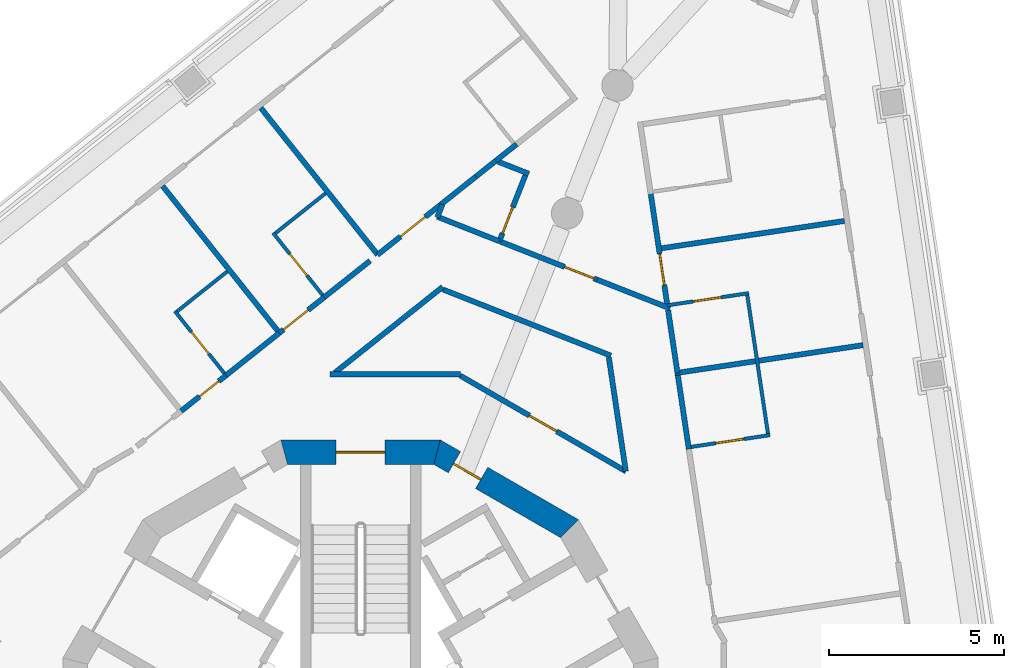
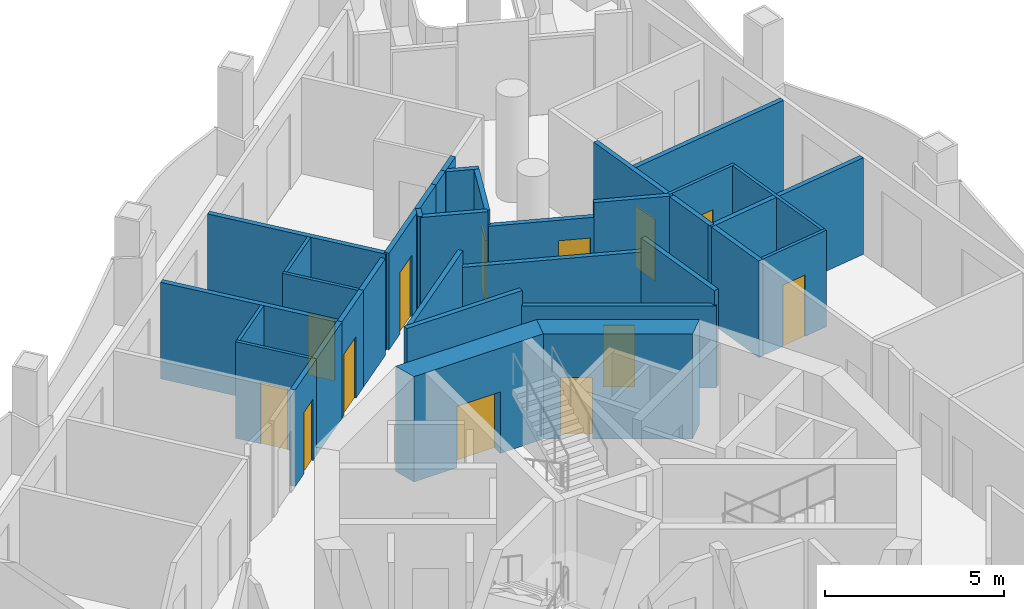
# One storey, part 8 of 16: 34 walls, 13 doors, 13 openings.
"""IFC4 building model written with IfcOpenShell, lengths in metres."""

from ifc_helpers import new_model, si_unit, direction, frame, frame_2d, origin, place, context, subcontext, project, spatial, polyline, rectangle, outline, extrude, material, layer, layer_set, type_object, element, fill, save


model = new_model("IFC4")

# Units and contexts
model_context = context("Model", 3, precision=1e-05, world=origin(), true_north=direction((0.0, 1.0)))
body_context = subcontext(model_context, "Body", "Model", "MODEL_VIEW")
ifc_project = project(units=[si_unit("LENGTHUNIT", "METRE"), si_unit("AREAUNIT", "SQUARE_METRE"), si_unit("VOLUMEUNIT", "CUBIC_METRE"), si_unit("PLANEANGLEUNIT", "RADIAN"), si_unit("MASSUNIT", "GRAM", prefix="KILO")], contexts=[model_context])

# Site, building, storey
site_placement = place(None, origin())
site = spatial("IfcSite", under=ifc_project, at=site_placement, CompositionType="ELEMENT")
building_placement = place(site_placement, origin())
building = spatial("IfcBuilding", under=site, at=building_placement, Name="Trine Commons Tower", CompositionType="ELEMENT")
storey_placement = place(building_placement, frame((0.0, 0.0, 205.199951171875)))
storey = spatial("IfcBuildingStorey", under=building, at=storey_placement, Name="L53", CompositionType="ELEMENT", Elevation=205.199951171875)

# Wall, opening, door
ifc_material_1 = material(Name="Concrete C60/75", Category="concrete")
ifc_layer_1 = layer(ifc_material_1, 0.699951171875)
ifc_layer_set_1 = layer_set([ifc_layer_1], Name="Concrete C60/75")
wall_type_1 = type_object("IfcWallType", Name="RC shear wall 700 mm, C60/75", PredefinedType="SHEAR", material=ifc_layer_set_1)
wall_1_placement = place(storey_placement, frame((86.047607421875, 68.41943359375, 0.0), z_axis=(0.0, 0.0, 1.0), x_axis=(-0.866034756103, 0.499983800959, 0.0)))
wall_1 = element("IfcWall", 1, at=wall_1_placement, inside=storey, type_object=wall_type_1, Name="Core wall CWF-03 L53", PredefinedType="SHEAR", context=body_context, shape_type="SweptSolid", body=[
    extrude(outline(polyline([(0.0, -0.35009765625), (4.55517578125, -0.35009765625), (4.36767578125, 0.35009765625), (0.1875, 0.35009765625), (0.0, -0.35009765625)])), origin(), (0.0, 0.0, 1.0), 3.60009765625),
])
opening_1_placement = place(wall_1_placement, frame((2.990966796875, 0.0, 0.0)))
opening_1 = element("IfcOpeningElement", 2, at=opening_1_placement, cuts=wall_1, Name="Opening K15.14", PredefinedType="OPENING", context=body_context, shape_type="SweptSolid", body=[
    extrude(rectangle(XDim=0.89990234375, YDim=2.10009765625, at=frame_2d((0.449951171875, 1.050048828125))), frame((0.0, 0.35986328125, 0.0), z_axis=(0.0, -1.0, 0.0), x_axis=(1.0, 0.0, 0.0)), (0.0, 0.0, 1.0), 0.719970703125),
])
ifc_material_2 = material(Name="Steel door leaf, fire-rated", Category="steel")
door_type_1 = type_object("IfcDoorType", Name="Core room door, single leaf 900 x 2100, FD30S", OperationType="SINGLE_SWING_LEFT", PredefinedType="DOOR", material=ifc_material_2)
door_1_placement = place(opening_1_placement, origin())
door_1 = element("IfcDoor", 3, at=door_1_placement, inside=storey, type_object=door_type_1, Name="Door to Core WC L53", OperationType="SINGLE_SWING_RIGHT", OverallHeight=2.10009765625, OverallWidth=0.89990234375, PredefinedType="DOOR", context=body_context, shape_type="SweptSolid", body=[
    extrude(rectangle(XDim=0.89990234375, YDim=2.10009765625, at=frame_2d((0.449951171875, 1.050048828125))), frame((0.0, 0.0751953125, 0.0), z_axis=(0.0, -1.0, 0.0), x_axis=(1.0, 0.0, 0.0)), (0.0, 0.0, 1.0), 0.050048828125),
])
fill(opening_1, door_1)

wall_2_placement = place(storey_placement, frame((82.277587890625, 70.650146484375, 0.0), z_axis=(0.0, 0.0, 1.0), x_axis=(-1.0, 0.0, 0.0)))
wall_2 = element("IfcWall", 4, at=wall_2_placement, inside=storey, type_object=wall_type_1, Name="Core wall CWF-04 L53", PredefinedType="SHEAR", context=body_context, shape_type="SweptSolid", body=[
    extrude(outline(polyline([(0.0, -0.35009765625), (4.55517578125, -0.35009765625), (4.36767578125, 0.35009765625), (0.1875, 0.35009765625), (0.0, -0.35009765625)])), origin(), (0.0, 0.0, 1.0), 3.60009765625),
])
opening_2_placement = place(wall_2_placement, frame((1.57763671875, 0.0, 0.0)))
opening_2 = element("IfcOpeningElement", 5, at=opening_2_placement, cuts=wall_2, Name="Opening K15.01", PredefinedType="OPENING", context=body_context, shape_type="SweptSolid", body=[
    extrude(rectangle(XDim=1.39990234375, YDim=2.10009765625, at=frame_2d((0.699951171875, 1.050048828125))), frame((0.0, 0.35986328125, 0.0), z_axis=(0.0, -1.0, 0.0), x_axis=(1.0, 0.0, 0.0)), (0.0, 0.0, 1.0), 0.719970703125),
])
ifc_material_3 = material(Name="Steel door leaves, fire-rated", Category="steel")
door_type_2 = type_object("IfcDoorType", Name="Stair door, double leaf 1400 x 2100, FD90", OperationType="DOUBLE_DOOR_SINGLE_SWING", PredefinedType="DOOR", material=ifc_material_3)
door_2_placement = place(opening_2_placement, origin())
door_2 = element("IfcDoor", 6, at=door_2_placement, inside=storey, type_object=door_type_2, Name="Stair door to Exit stair ST1C L53", OperationType="DOUBLE_DOOR_SINGLE_SWING", OverallHeight=2.10009765625, OverallWidth=1.39990234375, PredefinedType="DOOR", context=body_context, shape_type="SweptSolid", body=[
    extrude(rectangle(XDim=1.39990234375, YDim=2.10009765625, at=frame_2d((0.699951171875, 1.050048828125))), frame((0.0, 0.02490234375, 0.0), z_axis=(0.0, -1.0, 0.0), x_axis=(1.0, 0.0, 0.0)), (0.0, 0.0, 1.0), 0.050048828125),
])
fill(opening_2, door_2)

# Wall
ifc_material_4 = material(Name="Gypsum plasterboard on steel stud", Category="steel")
ifc_layer_2 = layer(ifc_material_4, 0.14990234375)
ifc_layer_set_2 = layer_set([ifc_layer_2], Name="Gypsum plasterboard on steel stud")
wall_type_2 = type_object("IfcWallType", Name="Unit and corridor wall 150 mm, EI 60", PredefinedType="PARTITIONING", material=ifc_layer_set_2)
wall_3_placement = place(storey_placement, frame((74.343017578125, 78.252685546875, 0.0), z_axis=(0.0, 0.0, 1.0), x_axis=(0.622444463897, -0.782663969634, 0.0)))
element("IfcWall", 7, at=wall_3_placement, inside=storey, type_object=wall_type_2, Name="Partition 042", PredefinedType="PARTITIONING", context=body_context, shape_type="SweptSolid", body=[
    extrude(rectangle(XDim=5.284423828125, YDim=0.14990234375, at=frame_2d((2.64208984375, 0.0))), origin(), (0.0, 0.0, 1.0), 3.300048828125),
])

# Wall, opening, door
wall_4_placement = place(storey_placement, frame((74.8701171875, 71.823974609375, 0.0), z_axis=(0.0, 0.0, 1.0), x_axis=(0.782865951336, 0.622190406739, 0.0)))
wall_4 = element("IfcWall", 8, at=wall_4_placement, inside=storey, type_object=wall_type_2, Name="Partition 045", PredefinedType="PARTITIONING", context=body_context, shape_type="SweptSolid", body=[
    extrude(rectangle(XDim=1.642578125, YDim=0.14990234375, at=frame_2d((0.8212890625, 0.0))), origin(), (0.0, 0.0, 1.0), 3.300048828125),
])
opening_3_placement = place(wall_4_placement, frame((0.671142578125, 0.0, 0.0)))
opening_3 = element("IfcOpeningElement", 9, at=opening_3_placement, cuts=wall_4, Name="Opening D-6A10", PredefinedType="OPENING", context=body_context, shape_type="SweptSolid", body=[
    extrude(rectangle(XDim=0.699951171875, YDim=2.10009765625, at=frame_2d((0.35009765625, 1.050048828125))), frame((0.0, 0.0849609375, 0.0), z_axis=(0.0, -1.0, 0.0), x_axis=(1.0, 0.0, 0.0)), (0.0, 0.0, 1.0), 0.169921875),
])
ifc_material_5 = material(Name="Timber fire door set", Category="wood")
door_type_3 = type_object("IfcDoorType", Name="Bedroom door 700 x 2100, FD30S", OperationType="NOTDEFINED", PredefinedType="DOOR", material=ifc_material_5)
door_3_placement = place(opening_3_placement, origin())
door_3 = element("IfcDoor", 10, at=door_3_placement, inside=storey, type_object=door_type_3, Name="Door D-6A10", OperationType="SINGLE_SWING_RIGHT", OverallHeight=2.10009765625, OverallWidth=0.699951171875, PredefinedType="DOOR", context=body_context, shape_type="SweptSolid", body=[
    extrude(rectangle(XDim=0.699951171875, YDim=2.10009765625, at=frame_2d((0.35009765625, 1.050048828125))), frame((0.0, 0.02490234375, 0.0), z_axis=(0.0, -1.0, 0.0), x_axis=(1.0, 0.0, 0.0)), (0.0, 0.0, 1.0), 0.050048828125),
])
fill(opening_3, door_3)

# Walls
wall_5_placement = place(storey_placement, frame((76.11083984375, 72.810791015625, 0.0), z_axis=(0.0, 0.0, 1.0), x_axis=(0.782704744495, 0.622393189989, 0.0)))
element("IfcWall", 11, at=wall_5_placement, inside=storey, type_object=wall_type_2, Name="Partition 048", PredefinedType="PARTITIONING", context=body_context, shape_type="SweptSolid", body=[
    extrude(rectangle(XDim=2.007080078125, YDim=0.14990234375, at=frame_2d((1.00341796875, 0.0))), origin(), (0.0, 0.0, 1.0), 3.300048828125),
])
wall_6_placement = place(storey_placement, frame((77.14892578125, 80.485595703125, 0.0), z_axis=(0.0, 0.0, 1.0), x_axis=(0.622587598128, -0.782550115109, 0.0)))
element("IfcWall", 12, at=wall_6_placement, inside=storey, type_object=wall_type_2, Name="Partition 049", PredefinedType="PARTITIONING", context=body_context, shape_type="SweptSolid", body=[
    extrude(rectangle(XDim=5.360107421875, YDim=0.14990234375, at=frame_2d((2.68017578125, 0.0))), origin(), (0.0, 0.0, 1.0), 3.300048828125),
])

# Wall, opening, door
wall_7_placement = place(storey_placement, frame((77.676025390625, 74.055908203125, 0.0), z_axis=(0.0, 0.0, 1.0), x_axis=(0.782734219596, 0.622356121102, 0.0)))
wall_7 = element("IfcWall", 13, at=wall_7_placement, inside=storey, type_object=wall_type_2, Name="Partition 053", PredefinedType="PARTITIONING", context=body_context, shape_type="SweptSolid", body=[
    extrude(rectangle(XDim=1.64404296875, YDim=0.14990234375, at=frame_2d((0.822021484375, 0.0))), origin(), (0.0, 0.0, 1.0), 3.300048828125),
])
opening_4_placement = place(wall_7_placement, frame((0.153564453125, 0.0, 0.0)))
opening_4 = element("IfcOpeningElement", 14, at=opening_4_placement, cuts=wall_7, Name="Opening D-6A11", PredefinedType="OPENING", context=body_context, shape_type="SweptSolid", body=[
    extrude(rectangle(XDim=0.89990234375, YDim=2.10009765625, at=frame_2d((0.449951171875, 1.050048828125))), frame((0.0, 0.0849609375, 0.0), z_axis=(0.0, -1.0, 0.0), x_axis=(1.0, 0.0, 0.0)), (0.0, 0.0, 1.0), 0.169921875),
])
door_type_4 = type_object("IfcDoorType", Name="Bedroom door 900 x 2100, FD30S", OperationType="NOTDEFINED", PredefinedType="DOOR", material=ifc_material_5)
door_4_placement = place(opening_4_placement, origin())
door_4 = element("IfcDoor", 15, at=door_4_placement, inside=storey, type_object=door_type_4, Name="Door D-6A11", OperationType="SINGLE_SWING_LEFT", OverallHeight=2.10009765625, OverallWidth=0.89990234375, PredefinedType="DOOR", context=body_context, shape_type="SweptSolid", body=[
    extrude(rectangle(XDim=0.89990234375, YDim=2.10009765625, at=frame_2d((0.449951171875, 1.050048828125))), frame((0.0, 0.02490234375, 0.0), z_axis=(0.0, -1.0, 0.0), x_axis=(1.0, 0.0, 0.0)), (0.0, 0.0, 1.0), 0.050048828125),
])
fill(opening_4, door_4)

# Walls
wall_8_placement = place(storey_placement, frame((78.95703125, 75.074951171875, 0.0), z_axis=(0.0, 0.0, 1.0), x_axis=(0.782797783459, 0.622276168764, 0.0)))
element("IfcWall", 16, at=wall_8_placement, inside=storey, type_object=wall_type_2, Name="Partition 055", PredefinedType="PARTITIONING", context=body_context, shape_type="SweptSolid", body=[
    extrude(rectangle(XDim=1.676025390625, YDim=0.14990234375, at=frame_2d((0.837890625, 0.0))), origin(), (0.0, 0.0, 1.0), 3.300048828125),
])
wall_9_placement = place(storey_placement, frame((79.125, 72.875, 0.0), z_axis=(0.0, 0.0, 1.0), x_axis=(1.0, 0.0, 0.0)))
element("IfcWall", 17, at=wall_9_placement, inside=storey, type_object=wall_type_2, Name="Partition 056", PredefinedType="PARTITIONING", context=body_context, shape_type="SweptSolid", body=[
    extrude(rectangle(XDim=3.72998046875, YDim=0.14990234375, at=frame_2d((1.864990234375, 0.0))), origin(), (0.0, 0.0, 1.0), 3.300048828125),
])
wall_10_placement = place(storey_placement, frame((79.2626953125, 72.921630859375, 0.0), z_axis=(0.0, 0.0, 1.0), x_axis=(0.782518607784, 0.622627198629, 0.0)))
element("IfcWall", 18, at=wall_10_placement, inside=storey, type_object=wall_type_2, Name="Partition 057", PredefinedType="PARTITIONING", context=body_context, shape_type="SweptSolid", body=[
    extrude(rectangle(XDim=3.934814453125, YDim=0.14990234375, at=frame_2d((1.96728515625, 0.0))), origin(), (0.0, 0.0, 1.0), 3.300048828125),
])

# Wall, opening, door
wall_11_placement = place(storey_placement, frame((80.48291015625, 76.2890625, 0.0), z_axis=(0.0, 0.0, 1.0), x_axis=(0.782683898342, 0.622419404643, 0.0)))
wall_11 = element("IfcWall", 19, at=wall_11_placement, inside=storey, type_object=wall_type_2, Name="Partition 058", PredefinedType="PARTITIONING", context=body_context, shape_type="SweptSolid", body=[
    extrude(rectangle(XDim=3.589111328125, YDim=0.14990234375, at=frame_2d((1.79443359375, 0.0))), origin(), (0.0, 0.0, 1.0), 3.300048828125),
])
opening_5_placement = place(wall_11_placement, frame((0.841064453125, 0.0, 0.0)))
opening_5 = element("IfcOpeningElement", 20, at=opening_5_placement, cuts=wall_11, Name="Opening D-6A12", PredefinedType="OPENING", context=body_context, shape_type="SweptSolid", body=[
    extrude(rectangle(XDim=0.89990234375, YDim=2.10009765625, at=frame_2d((0.449951171875, 1.050048828125))), frame((0.0, 0.0849609375, 0.0), z_axis=(0.0, -1.0, 0.0), x_axis=(1.0, 0.0, 0.0)), (0.0, 0.0, 1.0), 0.169921875),
])
door_5_placement = place(opening_5_placement, origin())
door_5 = element("IfcDoor", 21, at=door_5_placement, inside=storey, type_object=door_type_4, Name="Door D-6A12", OperationType="SINGLE_SWING_LEFT", OverallHeight=2.10009765625, OverallWidth=0.89990234375, PredefinedType="DOOR", context=body_context, shape_type="SweptSolid", body=[
    extrude(rectangle(XDim=0.89990234375, YDim=2.10009765625, at=frame_2d((0.449951171875, 1.050048828125))), frame((0.0, 0.02490234375, 0.0), z_axis=(0.0, -1.0, 0.0), x_axis=(1.0, 0.0, 0.0)), (0.0, 0.0, 1.0), 0.050048828125),
])
fill(opening_5, door_5)

# Walls
wall_12_placement = place(storey_placement, frame((82.19189453125, 77.3759765625, 0.0), z_axis=(0.0, 0.0, 1.0), x_axis=(0.93022308185, -0.366994574882, 0.0)))
element("IfcWall", 22, at=wall_12_placement, inside=storey, type_object=wall_type_2, Name="Partition 061", PredefinedType="PARTITIONING", context=body_context, shape_type="SweptSolid", body=[
    extrude(rectangle(XDim=1.9072265625, YDim=0.14990234375, at=frame_2d((0.95361328125, 0.0))), origin(), (0.0, 0.0, 1.0), 3.300048828125),
])
wall_13_placement = place(storey_placement, frame((82.188232421875, 77.3544921875, 0.0), z_axis=(0.0, 0.0, 1.0), x_axis=(0.365066779339, 0.930981335271, 0.0)))
element("IfcWall", 23, at=wall_13_placement, inside=storey, type_object=wall_type_2, Name="Partition 062", PredefinedType="PARTITIONING", context=body_context, shape_type="SweptSolid", body=[
    extrude(rectangle(XDim=0.39990234375, YDim=0.14990234375, at=frame_2d((0.199951171875, 0.0))), origin(), (0.0, 0.0, 1.0), 3.300048828125),
])
wall_14_placement = place(storey_placement, frame((82.352783203125, 75.297607421875, 0.0), z_axis=(0.0, 0.0, 1.0), x_axis=(0.930366278921, -0.366631404883, 0.0)))
element("IfcWall", 24, at=wall_14_placement, inside=storey, type_object=wall_type_2, Name="Partition 063", PredefinedType="PARTITIONING", context=body_context, shape_type="SweptSolid", body=[
    extrude(rectangle(XDim=5.15283203125, YDim=0.14990234375, at=frame_2d((2.576416015625, 0.0))), origin(), (0.0, 0.0, 1.0), 2.800048828125),
])

# Wall, opening, door
wall_15_placement = place(storey_placement, frame((82.844970703125, 72.83740234375, 0.0), z_axis=(0.0, 0.0, 1.0), x_axis=(0.865990633405, -0.500060219228, 0.0)))
wall_15 = element("IfcWall", 25, at=wall_15_placement, inside=storey, type_object=wall_type_2, Name="Partition 066", PredefinedType="PARTITIONING", context=body_context, shape_type="SweptSolid", body=[
    extrude(rectangle(XDim=5.464111328125, YDim=0.14990234375, at=frame_2d((2.73193359375, 0.0))), origin(), (0.0, 0.0, 1.0), 2.800048828125),
])
opening_6_placement = place(wall_15_placement, frame((2.280517578125, 0.0, 0.0)))
opening_6 = element("IfcOpeningElement", 26, at=opening_6_placement, cuts=wall_15, Name="Opening D-6A27", PredefinedType="OPENING", context=body_context, shape_type="SweptSolid", body=[
    extrude(rectangle(XDim=0.89990234375, YDim=2.10009765625, at=frame_2d((0.449951171875, 1.050048828125))), frame((0.0, 0.0849609375, 0.0), z_axis=(0.0, -1.0, 0.0), x_axis=(1.0, 0.0, 0.0)), (0.0, 0.0, 1.0), 0.169921875),
])
door_type_5 = type_object("IfcDoorType", Name="Service door 900 x 2100, FD30S", OperationType="NOTDEFINED", PredefinedType="DOOR", material=ifc_material_5)
door_6_placement = place(opening_6_placement, origin())
door_6 = element("IfcDoor", 27, at=door_6_placement, inside=storey, type_object=door_type_5, Name="Door D-6A27", OperationType="SINGLE_SWING_LEFT", OverallHeight=2.10009765625, OverallWidth=0.89990234375, PredefinedType="DOOR", context=body_context, shape_type="SweptSolid", body=[
    extrude(rectangle(XDim=0.89990234375, YDim=2.10009765625, at=frame_2d((0.449951171875, 1.050048828125))), frame((0.0, 0.02490234375, 0.0), z_axis=(0.0, -1.0, 0.0), x_axis=(1.0, 0.0, 0.0)), (0.0, 0.0, 1.0), 0.050048828125),
])
fill(opening_6, door_6)

# Walls
wall_16_placement = place(storey_placement, frame((83.2919921875, 78.52294921875, 0.0), z_axis=(0.0, 0.0, 1.0), x_axis=(0.782961678727, 0.622069939512, 0.0)))
element("IfcWall", 28, at=wall_16_placement, inside=storey, type_object=wall_type_2, Name="Partition 071", PredefinedType="PARTITIONING", context=body_context, shape_type="SweptSolid", body=[
    extrude(rectangle(XDim=0.726806640625, YDim=0.14990234375, at=frame_2d((0.36328125, 0.0))), origin(), (0.0, 0.0, 1.0), 3.300048828125),
])
wall_17_placement = place(storey_placement, frame((83.861083984375, 78.97509765625, 0.0), z_axis=(0.0, 0.0, 1.0), x_axis=(0.782427401713, 0.622741809298, 0.0)))
element("IfcWall", 29, at=wall_17_placement, inside=storey, type_object=wall_type_2, Name="Partition 074", PredefinedType="PARTITIONING", context=body_context, shape_type="SweptSolid", body=[
    extrude(rectangle(XDim=0.762939453125, YDim=0.14990234375, at=frame_2d((0.38134765625, 0.0))), origin(), (0.0, 0.0, 1.0), 3.300048828125),
])
wall_18_placement = place(storey_placement, frame((83.930908203125, 78.947509765625, 0.0), z_axis=(0.0, 0.0, 1.0), x_axis=(0.930564496223, -0.366128008175, 0.0)))
element("IfcWall", 30, at=wall_18_placement, inside=storey, type_object=wall_type_2, Name="Partition 075", PredefinedType="PARTITIONING", context=body_context, shape_type="SweptSolid", body=[
    extrude(rectangle(XDim=0.936767578125, YDim=0.14990234375, at=frame_2d((0.46826171875, 0.0))), origin(), (0.0, 0.0, 1.0), 3.300048828125),
])

# Wall, opening, door
wall_19_placement = place(storey_placement, frame((83.962890625, 76.677978515625, 0.0), z_axis=(0.0, 0.0, 1.0), x_axis=(0.366688940458, 0.9303436037, 0.0)))
wall_19 = element("IfcWall", 31, at=wall_19_placement, inside=storey, type_object=wall_type_2, Name="Partition 076", PredefinedType="PARTITIONING", context=body_context, shape_type="SweptSolid", body=[
    extrude(rectangle(XDim=2.025390625, YDim=0.14990234375, at=frame_2d((1.0126953125, 0.0))), origin(), (0.0, 0.0, 1.0), 3.300048828125),
])
opening_7_placement = place(wall_19_placement, frame((0.24267578125, 0.0, 0.0)))
opening_7 = element("IfcOpeningElement", 32, at=opening_7_placement, cuts=wall_19, Name="Opening D-6A04", PredefinedType="OPENING", context=body_context, shape_type="SweptSolid", body=[
    extrude(rectangle(XDim=0.800048828125, YDim=2.10009765625, at=frame_2d((0.39990234375, 1.050048828125))), frame((0.0, 0.0849609375, 0.0), z_axis=(0.0, -1.0, 0.0), x_axis=(1.0, 0.0, 0.0)), (0.0, 0.0, 1.0), 0.169921875),
])
ifc_material_6 = material(Name="Painted timber", Category="wood")
door_type_6 = type_object("IfcDoorType", Name="Toilet door 800 x 2100, NOT RATED", OperationType="NOTDEFINED", PredefinedType="DOOR", material=ifc_material_6)
door_7_placement = place(opening_7_placement, origin())
door_7 = element("IfcDoor", 33, at=door_7_placement, inside=storey, type_object=door_type_6, Name="Door D-6A04", OperationType="SINGLE_SWING_LEFT", OverallHeight=2.10009765625, OverallWidth=0.800048828125, PredefinedType="DOOR", context=body_context, shape_type="SweptSolid", body=[
    extrude(rectangle(XDim=0.800048828125, YDim=2.10009765625, at=frame_2d((0.39990234375, 1.050048828125))), frame((0.0, 0.02490234375, 0.0), z_axis=(0.0, -1.0, 0.0), x_axis=(1.0, 0.0, 0.0)), (0.0, 0.0, 1.0), 0.050048828125),
])
fill(opening_7, door_7)

wall_20_placement = place(storey_placement, frame((83.97705078125, 76.672119140625, 0.0), z_axis=(0.0, 0.0, 1.0), x_axis=(0.930513911047, -0.36625655127, 0.0)))
wall_20 = element("IfcWall", 34, at=wall_20_placement, inside=storey, type_object=wall_type_2, Name="Partition 077", PredefinedType="PARTITIONING", context=body_context, shape_type="SweptSolid", body=[
    extrude(rectangle(XDim=2.987548828125, YDim=0.14990234375, at=frame_2d((1.49365234375, 0.0))), origin(), (0.0, 0.0, 1.0), 2.800048828125),
])
opening_8_placement = place(wall_20_placement, frame((1.987548828125, 0.0, 0.0)))
opening_8 = element("IfcOpeningElement", 35, at=opening_8_placement, cuts=wall_20, Name="Opening D-6A01", PredefinedType="OPENING", context=body_context, shape_type="SweptSolid", body=[
    extrude(rectangle(XDim=0.89990234375, YDim=2.10009765625, at=frame_2d((0.449951171875, 1.050048828125))), frame((0.0, 0.0849609375, 0.0), z_axis=(0.0, -1.0, 0.0), x_axis=(1.0, 0.0, 0.0)), (0.0, 0.0, 1.0), 0.169921875),
])
door_type_7 = type_object("IfcDoorType", Name="Cluster entrance door 900 x 2100, FD30S", OperationType="NOTDEFINED", PredefinedType="DOOR", material=ifc_material_5)
door_8_placement = place(opening_8_placement, origin())
door_8 = element("IfcDoor", 36, at=door_8_placement, inside=storey, type_object=door_type_7, Name="Door D-6A01", OperationType="SINGLE_SWING_RIGHT", OverallHeight=2.10009765625, OverallWidth=0.89990234375, PredefinedType="DOOR", context=body_context, shape_type="SweptSolid", body=[
    extrude(rectangle(XDim=0.89990234375, YDim=2.10009765625, at=frame_2d((0.449951171875, 1.050048828125))), frame((0.0, 0.02490234375, 0.0), z_axis=(0.0, -1.0, 0.0), x_axis=(1.0, 0.0, 0.0)), (0.0, 0.0, 1.0), 0.050048828125),
])
fill(opening_8, door_8)

# Walls
wall_21_placement = place(storey_placement, frame((86.757080078125, 75.577880859375, 0.0), z_axis=(0.0, 0.0, 1.0), x_axis=(0.930344172236, -0.366687497997, 0.0)))
element("IfcWall", 37, at=wall_21_placement, inside=storey, type_object=wall_type_2, Name="Partition 084", PredefinedType="PARTITIONING", context=body_context, shape_type="SweptSolid", body=[
    extrude(rectangle(XDim=2.23974609375, YDim=0.14990234375, at=frame_2d((1.119873046875, 0.0))), origin(), (0.0, 0.0, 1.0), 3.300048828125),
])
wall_22_placement = place(storey_placement, frame((87.088134765625, 73.36181640625, 0.0), z_axis=(0.0, 0.0, 1.0), x_axis=(0.147629393442, -0.989042750437, 0.0)))
element("IfcWall", 38, at=wall_22_placement, inside=storey, type_object=wall_type_2, Name="Partition 085", PredefinedType="PARTITIONING", context=body_context, shape_type="SweptSolid", body=[
    extrude(rectangle(XDim=3.291015625, YDim=0.14990234375, at=frame_2d((1.6455078125, 0.0))), origin(), (0.0, 0.0, 1.0), 3.300048828125),
])

# Wall, opening, door
wall_23_placement = place(storey_placement, frame((88.278076171875, 78.0859375, 0.0), z_axis=(0.0, 0.0, 1.0), x_axis=(0.147535964678, -0.989056691563, 0.0)))
wall_23 = element("IfcWall", 39, at=wall_23_placement, inside=storey, type_object=wall_type_2, Name="Partition 091", PredefinedType="PARTITIONING", context=body_context, shape_type="SweptSolid", body=[
    extrude(rectangle(XDim=3.27978515625, YDim=0.14990234375, at=frame_2d((1.639892578125, 0.0))), origin(), (0.0, 0.0, 1.0), 3.300048828125),
])
opening_9_placement = place(wall_23_placement, frame((1.789794921875, 0.0, 0.0)))
opening_9 = element("IfcOpeningElement", 40, at=opening_9_placement, cuts=wall_23, Name="Opening D-6A14", PredefinedType="OPENING", context=body_context, shape_type="SweptSolid", body=[
    extrude(rectangle(XDim=0.89990234375, YDim=2.10009765625, at=frame_2d((0.449951171875, 1.050048828125))), frame((0.0, 0.0849609375, 0.0), z_axis=(0.0, -1.0, 0.0), x_axis=(1.0, 0.0, 0.0)), (0.0, 0.0, 1.0), 0.169921875),
])
door_9_placement = place(opening_9_placement, origin())
door_9 = element("IfcDoor", 41, at=door_9_placement, inside=storey, type_object=door_type_4, Name="Door D-6A14", OperationType="SINGLE_SWING_RIGHT", OverallHeight=2.10009765625, OverallWidth=0.89990234375, PredefinedType="DOOR", context=body_context, shape_type="SweptSolid", body=[
    extrude(rectangle(XDim=0.89990234375, YDim=2.10009765625, at=frame_2d((0.449951171875, 1.050048828125))), frame((0.0, 0.02490234375, 0.0), z_axis=(0.0, -1.0, 0.0), x_axis=(1.0, 0.0, 0.0)), (0.0, 0.0, 1.0), 0.050048828125),
])
fill(opening_9, door_9)

# Walls
wall_24_placement = place(storey_placement, frame((88.59423828125, 76.47509765625, 0.0), z_axis=(0.0, 0.0, 1.0), x_axis=(0.989020900083, 0.147775705715, 0.0)))
element("IfcWall", 42, at=wall_24_placement, inside=storey, type_object=wall_type_2, Name="Partition 094", PredefinedType="PARTITIONING", context=body_context, shape_type="SweptSolid", body=[
    extrude(rectangle(XDim=5.28515625, YDim=0.14990234375, at=frame_2d((2.642578125, 0.0))), origin(), (0.0, 0.0, 1.0), 3.300048828125),
])
wall_25_placement = place(storey_placement, frame((88.781982421875, 74.709716796875, 0.0), z_axis=(0.0, 0.0, 1.0), x_axis=(0.148097298626, -0.98897279545, 0.0)))
element("IfcWall", 43, at=wall_25_placement, inside=storey, type_object=wall_type_2, Name="Partition 096", PredefinedType="PARTITIONING", context=body_context, shape_type="SweptSolid", body=[
    extrude(rectangle(XDim=1.816650390625, YDim=0.14990234375, at=frame_2d((0.908203125, 0.0))), origin(), (0.0, 0.0, 1.0), 3.300048828125),
])
wall_26_placement = place(storey_placement, frame((88.975830078125, 72.906005859375, 0.0), z_axis=(0.0, 0.0, 1.0), x_axis=(0.989026447028, 0.147738576813, 0.0)))
element("IfcWall", 44, at=wall_26_placement, inside=storey, type_object=wall_type_2, Name="Partition 097", PredefinedType="PARTITIONING", context=body_context, shape_type="SweptSolid", body=[
    extrude(rectangle(XDim=5.43505859375, YDim=0.14990234375, at=frame_2d((2.717529296875, 0.0))), origin(), (0.0, 0.0, 1.0), 3.300048828125),
])
wall_27_placement = place(storey_placement, frame((89.06103515625, 72.8466796875, 0.0), z_axis=(0.0, 0.0, 1.0), x_axis=(0.147461434702, -0.989067806207, 0.0)))
element("IfcWall", 45, at=wall_27_placement, inside=storey, type_object=wall_type_2, Name="Partition 098", PredefinedType="PARTITIONING", context=body_context, shape_type="SweptSolid", body=[
    extrude(rectangle(XDim=2.13232421875, YDim=0.14990234375, at=frame_2d((1.066162109375, 0.0))), origin(), (0.0, 0.0, 1.0), 3.300048828125),
])

# Wall, opening, door
ifc_layer_3 = layer(ifc_material_4, 0.10009765625)
ifc_layer_set_3 = layer_set([ifc_layer_3], Name="Gypsum plasterboard on steel stud")
wall_type_3 = type_object("IfcWallType", Name="Unit partition 100 mm, no rating", PredefinedType="PARTITIONING", material=ifc_layer_set_3)
wall_28_placement = place(storey_placement, frame((74.68994140625, 74.68310546875, 0.0), z_axis=(0.0, 0.0, 1.0), x_axis=(0.622507134747, -0.782614124067, 0.0)))
wall_28 = element("IfcWall", 46, at=wall_28_placement, inside=storey, type_object=wall_type_3, Name="Partition 043", PredefinedType="PARTITIONING", context=body_context, shape_type="SweptSolid", body=[
    extrude(rectangle(XDim=2.275146484375, YDim=0.10009765625, at=frame_2d((1.1376953125, 0.0))), origin(), (0.0, 0.0, 1.0), 3.300048828125),
])
opening_10_placement = place(wall_28_placement, frame((0.7626953125, 0.0, 0.0)))
opening_10 = element("IfcOpeningElement", 47, at=opening_10_placement, cuts=wall_28, Name="Opening D-6A31", PredefinedType="OPENING", context=body_context, shape_type="SweptSolid", body=[
    extrude(rectangle(XDim=0.800048828125, YDim=2.10009765625, at=frame_2d((0.39990234375, 1.050048828125))), frame((0.0, 0.06005859375, 0.0), z_axis=(0.0, -1.0, 0.0), x_axis=(1.0, 0.0, 0.0)), (0.0, 0.0, 1.0), 0.1201171875),
])
door_type_8 = type_object("IfcDoorType", Name="Internal door 800 x 2100, NOT RATED", OperationType="NOTDEFINED", PredefinedType="DOOR", material=ifc_material_6)
door_10_placement = place(opening_10_placement, frame((0.800048828125, 0.0, 0.0), z_axis=(0.0, 0.0, 1.0), x_axis=(-1.0, 0.0, 0.0)))
door_10 = element("IfcDoor", 48, at=door_10_placement, inside=storey, type_object=door_type_8, Name="Door D-6A31", OperationType="SINGLE_SWING_LEFT", OverallHeight=2.10009765625, OverallWidth=0.800048828125, PredefinedType="DOOR", context=body_context, shape_type="SweptSolid", body=[
    extrude(rectangle(XDim=0.800048828125, YDim=2.10009765625, at=frame_2d((0.39990234375, 1.050048828125))), frame((0.0, 0.02490234375, 0.0), z_axis=(0.0, -1.0, 0.0), x_axis=(1.0, 0.0, 0.0)), (0.0, 0.0, 1.0), 0.050048828125),
])
fill(opening_10, door_10)

# Wall
wall_29_placement = place(storey_placement, frame((74.760009765625, 74.675048828125, 0.0), z_axis=(0.0, 0.0, 1.0), x_axis=(0.782562542096, 0.622571977934, 0.0)))
element("IfcWall", 49, at=wall_29_placement, inside=storey, type_object=wall_type_3, Name="Partition 044", PredefinedType="PARTITIONING", context=body_context, shape_type="SweptSolid", body=[
    extrude(rectangle(XDim=1.824951171875, YDim=0.10009765625, at=frame_2d((0.91259765625, 0.0))), origin(), (0.0, 0.0, 1.0), 3.300048828125),
])

# Wall, opening, door
wall_30_placement = place(storey_placement, frame((77.496826171875, 76.916015625, 0.0), z_axis=(0.0, 0.0, 1.0), x_axis=(0.622625135388, -0.78252024944, 0.0)))
wall_30 = element("IfcWall", 50, at=wall_30_placement, inside=storey, type_object=wall_type_3, Name="Partition 051", PredefinedType="PARTITIONING", context=body_context, shape_type="SweptSolid", body=[
    extrude(rectangle(XDim=2.275146484375, YDim=0.10009765625, at=frame_2d((1.1376953125, 0.0))), origin(), (0.0, 0.0, 1.0), 3.300048828125),
])
opening_11_placement = place(wall_30_placement, frame((0.7626953125, 0.0, 0.0)))
opening_11 = element("IfcOpeningElement", 51, at=opening_11_placement, cuts=wall_30, Name="Opening D-6A32", PredefinedType="OPENING", context=body_context, shape_type="SweptSolid", body=[
    extrude(rectangle(XDim=0.800048828125, YDim=2.10009765625, at=frame_2d((0.39990234375, 1.050048828125))), frame((0.0, 0.06005859375, 0.0), z_axis=(0.0, -1.0, 0.0), x_axis=(1.0, 0.0, 0.0)), (0.0, 0.0, 1.0), 0.1201171875),
])
door_11_placement = place(opening_11_placement, frame((0.800048828125, 0.0, 0.0), z_axis=(0.0, 0.0, 1.0), x_axis=(-1.0, 0.0, 0.0)))
door_11 = element("IfcDoor", 52, at=door_11_placement, inside=storey, type_object=door_type_8, Name="Door D-6A32", OperationType="SINGLE_SWING_LEFT", OverallHeight=2.10009765625, OverallWidth=0.800048828125, PredefinedType="DOOR", context=body_context, shape_type="SweptSolid", body=[
    extrude(rectangle(XDim=0.800048828125, YDim=2.10009765625, at=frame_2d((0.39990234375, 1.050048828125))), frame((0.0, 0.02490234375, 0.0), z_axis=(0.0, -1.0, 0.0), x_axis=(1.0, 0.0, 0.0)), (0.0, 0.0, 1.0), 0.050048828125),
])
fill(opening_11, door_11)

# Wall
wall_31_placement = place(storey_placement, frame((77.567138671875, 76.908203125, 0.0), z_axis=(0.0, 0.0, 1.0), x_axis=(0.782627716851, 0.622490045557, 0.0)))
element("IfcWall", 53, at=wall_31_placement, inside=storey, type_object=wall_type_3, Name="Partition 052", PredefinedType="PARTITIONING", context=body_context, shape_type="SweptSolid", body=[
    extrude(rectangle(XDim=1.824951171875, YDim=0.10009765625, at=frame_2d((0.91259765625, 0.0))), origin(), (0.0, 0.0, 1.0), 3.300048828125),
])

# Wall, opening, door
wall_32_placement = place(storey_placement, frame((88.761962890625, 74.845947265625, 0.0), z_axis=(0.0, 0.0, 1.0), x_axis=(0.989014693812, 0.147817236561, 0.0)))
wall_32 = element("IfcWall", 54, at=wall_32_placement, inside=storey, type_object=wall_type_3, Name="Partition 095", PredefinedType="PARTITIONING", context=body_context, shape_type="SweptSolid", body=[
    extrude(rectangle(XDim=2.350341796875, YDim=0.10009765625, at=frame_2d((1.17529296875, 0.0))), origin(), (0.0, 0.0, 1.0), 3.300048828125),
])
opening_12_placement = place(wall_32_placement, frame((0.75, 0.0, 0.0)))
opening_12 = element("IfcOpeningElement", 55, at=opening_12_placement, cuts=wall_32, Name="Opening D-6A35", PredefinedType="OPENING", context=body_context, shape_type="SweptSolid", body=[
    extrude(rectangle(XDim=0.800048828125, YDim=2.10009765625, at=frame_2d((0.39990234375, 1.050048828125))), frame((0.0, 0.06005859375, 0.0), z_axis=(0.0, -1.0, 0.0), x_axis=(1.0, 0.0, 0.0)), (0.0, 0.0, 1.0), 0.1201171875),
])
door_12_placement = place(opening_12_placement, origin())
door_12 = element("IfcDoor", 56, at=door_12_placement, inside=storey, type_object=door_type_8, Name="Door D-6A35", OperationType="SINGLE_SWING_LEFT", OverallHeight=2.10009765625, OverallWidth=0.800048828125, PredefinedType="DOOR", context=body_context, shape_type="SweptSolid", body=[
    extrude(rectangle(XDim=0.800048828125, YDim=2.10009765625, at=frame_2d((0.39990234375, 1.050048828125))), frame((0.0, 0.02490234375, 0.0), z_axis=(0.0, -1.0, 0.0), x_axis=(1.0, 0.0, 0.0)), (0.0, 0.0, 1.0), 0.050048828125),
])
fill(opening_12, door_12)

wall_33_placement = place(storey_placement, frame((89.442138671875, 70.802001953125, 0.0), z_axis=(0.0, 0.0, 1.0), x_axis=(0.989007860101, 0.147862952286, 0.0)))
wall_33 = element("IfcWall", 57, at=wall_33_placement, inside=storey, type_object=wall_type_3, Name="Partition 102", PredefinedType="PARTITIONING", context=body_context, shape_type="SweptSolid", body=[
    extrude(rectangle(XDim=2.275146484375, YDim=0.10009765625, at=frame_2d((1.1376953125, 0.0))), origin(), (0.0, 0.0, 1.0), 3.300048828125),
])
opening_13_placement = place(wall_33_placement, frame((0.712646484375, 0.0, 0.0)))
opening_13 = element("IfcOpeningElement", 58, at=opening_13_placement, cuts=wall_33, Name="Opening D-6A36", PredefinedType="OPENING", context=body_context, shape_type="SweptSolid", body=[
    extrude(rectangle(XDim=0.800048828125, YDim=2.10009765625, at=frame_2d((0.39990234375, 1.050048828125))), frame((0.0, 0.06005859375, 0.0), z_axis=(0.0, -1.0, 0.0), x_axis=(1.0, 0.0, 0.0)), (0.0, 0.0, 1.0), 0.1201171875),
])
door_13_placement = place(opening_13_placement, frame((0.800048828125, 0.0, 0.0), z_axis=(0.0, 0.0, 1.0), x_axis=(-1.0, 0.0, 0.0)))
door_13 = element("IfcDoor", 59, at=door_13_placement, inside=storey, type_object=door_type_8, Name="Door D-6A36", OperationType="SINGLE_SWING_RIGHT", OverallHeight=2.10009765625, OverallWidth=0.800048828125, PredefinedType="DOOR", context=body_context, shape_type="SweptSolid", body=[
    extrude(rectangle(XDim=0.800048828125, YDim=2.10009765625, at=frame_2d((0.39990234375, 1.050048828125))), frame((0.0, 0.02490234375, 0.0), z_axis=(0.0, -1.0, 0.0), x_axis=(1.0, 0.0, 0.0)), (0.0, 0.0, 1.0), 0.050048828125),
])
fill(opening_13, door_13)

# Wall
wall_34_placement = place(storey_placement, frame((91.04443359375, 75.136474609375, 0.0), z_axis=(0.0, 0.0, 1.0), x_axis=(0.147767379107, -0.989022144177, 0.0)))
element("IfcWall", 60, at=wall_34_placement, inside=storey, type_object=wall_type_3, Name="Partition 113", PredefinedType="PARTITIONING", context=body_context, shape_type="SweptSolid", body=[
    extrude(rectangle(XDim=4.0, YDim=0.10009765625, at=frame_2d((2.0, 0.0))), origin(), (0.0, 0.0, 1.0), 3.300048828125),
])

save(model, "model.ifc")
